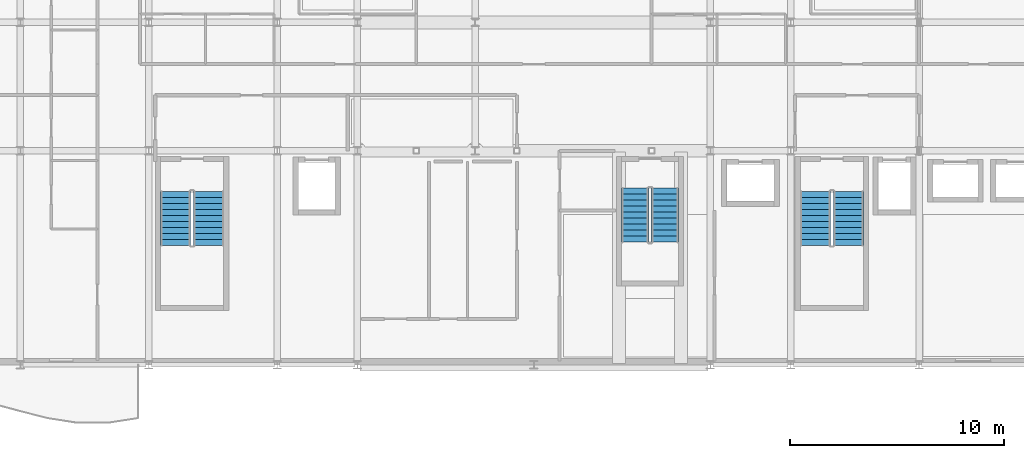
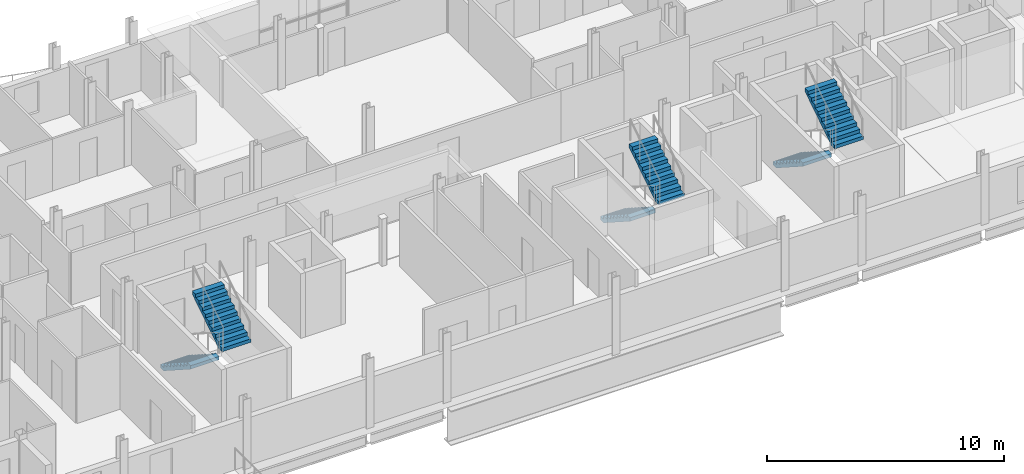
# One storey, part 31 of 35: 6 stair flights, 3 elements without a shape of their own.
"""IFC4 building model written with IfcOpenShell, lengths in metres."""

from ifc_helpers import new_model, si_unit, direction, frame, origin, place, context, subcontext, project, spatial, polyline, outline, extrude, material, layer, layer_set, type_object, element, aggregate, save


model = new_model("IFC4")

# Units and contexts
model_context = context("Model", 3, precision=1e-05, world=origin(), true_north=direction((0.0, 1.0)))
body_context = subcontext(model_context, "Body", "Model", "MODEL_VIEW")
ifc_project = project(units=[si_unit("LENGTHUNIT", "METRE"), si_unit("AREAUNIT", "SQUARE_METRE"), si_unit("VOLUMEUNIT", "CUBIC_METRE"), si_unit("PLANEANGLEUNIT", "RADIAN"), si_unit("MASSUNIT", "GRAM", prefix="KILO")], contexts=[model_context])

# Site, building, storey
site_placement = place(None, origin())
site = spatial("IfcSite", under=ifc_project, at=site_placement, CompositionType="ELEMENT")
building_placement = place(site_placement, origin())
building = spatial("IfcBuilding", under=site, at=building_placement, Name="Brevholm Reach", CompositionType="ELEMENT")
storey_placement = place(building_placement, frame((0.0, 0.0, 214.39990234375)))
storey = spatial("IfcBuildingStorey", under=building, at=storey_placement, Name="L65", CompositionType="ELEMENT", Elevation=214.39990234375)

# Stair, stair flights
ifc_material_1 = material(Name="Precast Concrete C40/50", Category="concrete")
stair_type_1 = type_object("IfcStairType", Name="STR-ESC-1250", PredefinedType="DOUBLE_RETURN_STAIR", material=ifc_material_1)
stair_1_placement = place(storey_placement, origin())
stair_1 = element("IfcStair", 1, at=stair_1_placement, inside=storey, type_object=stair_type_1, Name="L65 ST-3", PredefinedType="DOUBLE_RETURN_STAIR")
ifc_material_2 = material(Name="Precast Concrete C40/50", Category="concrete")
ifc_layer_1 = layer(ifc_material_2, 0.1650390625)
ifc_layer_set_1 = layer_set([ifc_layer_1], Name="Precast Concrete C40/50")
stair_flight_type_1 = type_object("IfcStairFlightType", Name="STF-PRC-165", PredefinedType="STRAIGHT", material=ifc_layer_set_1)
stair_flight_1_placement = place(storey_placement, frame((34.72509765625, 8.25, 0.0), z_axis=(0.0, 0.0, 1.0), x_axis=(0.0, -1.0, 0.0)))
stair_flight_1 = element("IfcStairFlight", 2, at=stair_flight_1_placement, type_object=stair_flight_type_1, Name="ST-3 flight 1", NumberOfRisers=10, NumberOfTreads=9, PredefinedType="STRAIGHT", RiserHeight=0.18, TreadLength=0.28, context=body_context, shape_type="SweptSolid", body=[
    extrude(outline(polyline([(0.0, 0.0), (0.0, 0.179931640625), (0.280029296875, 0.179931640625), (0.280029296875, 0.360107421875), (0.56005859375, 0.360107421875), (0.56005859375, 0.5400390625), (0.840087890625, 0.5400390625), (0.840087890625, 0.719970703125), (1.1201171875, 0.719970703125), (1.1201171875, 0.89990234375), (1.39990234375, 0.89990234375), (1.39990234375, 1.080078125), (1.679931640625, 1.080078125), (1.679931640625, 1.260009765625), (1.9599609375, 1.260009765625), (1.9599609375, 1.43994140625), (2.239990234375, 1.43994140625), (2.239990234375, 1.6201171875), (2.52001953125, 1.6201171875), (2.52001953125, 1.800048828125), (2.52001953125, 1.44189453125), (0.277099609375, 0.0), (0.0, 0.0)])), frame((0.0, 0.625, 0.0), z_axis=(0.0, -1.0, 0.0), x_axis=(1.0, 0.0, 0.0)), (0.0, 0.0, 1.0), 1.25),
])
stair_flight_2_placement = place(storey_placement, frame((36.125, 5.72998046875, 1.800048828125), z_axis=(0.0, 0.0, 1.0), x_axis=(0.0, 1.0, 0.0)))
stair_flight_2 = element("IfcStairFlight", 3, at=stair_flight_2_placement, type_object=stair_flight_type_1, Name="ST-3 flight 2", NumberOfRisers=10, NumberOfTreads=9, PredefinedType="STRAIGHT", RiserHeight=0.18, TreadLength=0.28, context=body_context, shape_type="SweptSolid", body=[
    extrude(outline(polyline([(0.0, 0.0), (0.0, 0.179931640625), (0.280029296875, 0.179931640625), (0.280029296875, 0.360107421875), (0.56005859375, 0.360107421875), (0.56005859375, 0.5400390625), (0.840087890625, 0.5400390625), (0.840087890625, 0.719970703125), (1.1201171875, 0.719970703125), (1.1201171875, 0.89990234375), (1.39990234375, 0.89990234375), (1.39990234375, 1.080078125), (1.679931640625, 1.080078125), (1.679931640625, 1.260009765625), (1.9599609375, 1.260009765625), (1.9599609375, 1.43994140625), (2.239990234375, 1.43994140625), (2.239990234375, 1.6201171875), (2.52001953125, 1.6201171875), (2.52001953125, 1.800048828125), (2.52001953125, 1.44189453125), (0.277099609375, 0.0), (0.0, 0.0)])), frame((0.0, 0.625, 0.0), z_axis=(0.0, -1.0, 0.0), x_axis=(1.0, 0.0, 0.0)), (0.0, 0.0, 1.0), 1.25),
])
aggregate(stair_1, [stair_flight_1, stair_flight_2])

ifc_material_3 = material(Name="Precast Concrete C40/50", Category="concrete")
stair_type_2 = type_object("IfcStairType", Name="STR-ESC-1400", PredefinedType="DOUBLE_RETURN_STAIR", material=ifc_material_3)
stair_2_placement = place(storey_placement, origin())
stair_2 = element("IfcStair", 4, at=stair_2_placement, inside=storey, type_object=stair_type_2, Name="L65 ST-1", PredefinedType="DOUBLE_RETURN_STAIR")
ifc_material_4 = material(Name="Precast Concrete C40/50", Category="concrete")
ifc_layer_2 = layer(ifc_material_4, 0.18505859375)
ifc_layer_set_2 = layer_set([ifc_layer_2], Name="Precast Concrete C40/50")
stair_flight_type_2 = type_object("IfcStairFlightType", Name="STF-PRC-185", PredefinedType="STRAIGHT", material=ifc_layer_set_2)
stair_flight_3_placement = place(storey_placement, frame((13.25, 8.10009765625, 0.0), z_axis=(0.0, 0.0, 1.0), x_axis=(0.0, -1.0, 0.0)))
stair_flight_3 = element("IfcStairFlight", 5, at=stair_flight_3_placement, type_object=stair_flight_type_2, Name="ST-1 flight 1", NumberOfRisers=10, NumberOfTreads=9, PredefinedType="STRAIGHT", RiserHeight=0.18, TreadLength=0.28, context=body_context, shape_type="SweptSolid", body=[
    extrude(outline(polyline([(0.0, 0.0), (0.0, 0.179931640625), (0.280029296875, 0.179931640625), (0.280029296875, 0.360107421875), (0.56005859375, 0.360107421875), (0.56005859375, 0.5400390625), (0.840087890625, 0.5400390625), (0.840087890625, 0.719970703125), (1.1201171875, 0.719970703125), (1.1201171875, 0.89990234375), (1.39990234375, 0.89990234375), (1.39990234375, 1.080078125), (1.679931640625, 1.080078125), (1.679931640625, 1.260009765625), (1.9599609375, 1.260009765625), (1.9599609375, 1.43994140625), (2.239990234375, 1.43994140625), (2.239990234375, 1.6201171875), (2.52001953125, 1.6201171875), (2.52001953125, 1.800048828125), (2.52001953125, 1.44189453125), (0.277099609375, 0.0), (0.0, 0.0)])), frame((0.0, 0.699951171875, 0.0), z_axis=(0.0, -1.0, 0.0), x_axis=(1.0, 0.0, 0.0)), (0.0, 0.0, 1.0), 1.39990234375),
])
stair_flight_4_placement = place(storey_placement, frame((14.800048828125, 5.580078125, 1.800048828125), z_axis=(0.0, 0.0, 1.0), x_axis=(0.0, 1.0, 0.0)))
stair_flight_4 = element("IfcStairFlight", 6, at=stair_flight_4_placement, type_object=stair_flight_type_2, Name="ST-1 flight 2", NumberOfRisers=10, NumberOfTreads=9, PredefinedType="STRAIGHT", RiserHeight=0.18, TreadLength=0.28, context=body_context, shape_type="SweptSolid", body=[
    extrude(outline(polyline([(0.0, 0.0), (0.0, 0.179931640625), (0.280029296875, 0.179931640625), (0.280029296875, 0.360107421875), (0.56005859375, 0.360107421875), (0.56005859375, 0.5400390625), (0.840087890625, 0.5400390625), (0.840087890625, 0.719970703125), (1.1201171875, 0.719970703125), (1.1201171875, 0.89990234375), (1.39990234375, 0.89990234375), (1.39990234375, 1.080078125), (1.679931640625, 1.080078125), (1.679931640625, 1.260009765625), (1.9599609375, 1.260009765625), (1.9599609375, 1.43994140625), (2.239990234375, 1.43994140625), (2.239990234375, 1.6201171875), (2.52001953125, 1.6201171875), (2.52001953125, 1.800048828125), (2.52001953125, 1.44189453125), (0.277099609375, 0.0), (0.0, 0.0)])), frame((0.0, 0.699951171875, 0.0), z_axis=(0.0, -1.0, 0.0), x_axis=(1.0, 0.0, 0.0)), (0.0, 0.0, 1.0), 1.39990234375),
])
aggregate(stair_2, [stair_flight_3, stair_flight_4])

stair_3_placement = place(storey_placement, origin())
stair_3 = element("IfcStair", 7, at=stair_3_placement, inside=storey, type_object=stair_type_2, Name="L65 ST-2", PredefinedType="DOUBLE_RETURN_STAIR")
stair_flight_5_placement = place(storey_placement, frame((43.14990234375, 8.10009765625, 0.0), z_axis=(0.0, 0.0, 1.0), x_axis=(0.0, -1.0, 0.0)))
stair_flight_5 = element("IfcStairFlight", 8, at=stair_flight_5_placement, type_object=stair_flight_type_2, Name="ST-2 flight 1", NumberOfRisers=10, NumberOfTreads=9, PredefinedType="STRAIGHT", RiserHeight=0.18, TreadLength=0.28, context=body_context, shape_type="SweptSolid", body=[
    extrude(outline(polyline([(0.0, 0.0), (0.0, 0.179931640625), (0.280029296875, 0.179931640625), (0.280029296875, 0.360107421875), (0.56005859375, 0.360107421875), (0.56005859375, 0.5400390625), (0.840087890625, 0.5400390625), (0.840087890625, 0.719970703125), (1.1201171875, 0.719970703125), (1.1201171875, 0.89990234375), (1.39990234375, 0.89990234375), (1.39990234375, 1.080078125), (1.679931640625, 1.080078125), (1.679931640625, 1.260009765625), (1.9599609375, 1.260009765625), (1.9599609375, 1.43994140625), (2.239990234375, 1.43994140625), (2.239990234375, 1.6201171875), (2.52001953125, 1.6201171875), (2.52001953125, 1.800048828125), (2.52001953125, 1.44189453125), (0.277099609375, 0.0), (0.0, 0.0)])), frame((0.0, 0.699951171875, 0.0), z_axis=(0.0, -1.0, 0.0), x_axis=(1.0, 0.0, 0.0)), (0.0, 0.0, 1.0), 1.39990234375),
])
stair_flight_6_placement = place(storey_placement, frame((44.699951171875, 5.580078125, 1.800048828125), z_axis=(0.0, 0.0, 1.0), x_axis=(0.0, 1.0, 0.0)))
stair_flight_6 = element("IfcStairFlight", 9, at=stair_flight_6_placement, type_object=stair_flight_type_2, Name="ST-2 flight 2", NumberOfRisers=10, NumberOfTreads=9, PredefinedType="STRAIGHT", RiserHeight=0.18, TreadLength=0.28, context=body_context, shape_type="SweptSolid", body=[
    extrude(outline(polyline([(0.0, 0.0), (0.0, 0.179931640625), (0.280029296875, 0.179931640625), (0.280029296875, 0.360107421875), (0.56005859375, 0.360107421875), (0.56005859375, 0.5400390625), (0.840087890625, 0.5400390625), (0.840087890625, 0.719970703125), (1.1201171875, 0.719970703125), (1.1201171875, 0.89990234375), (1.39990234375, 0.89990234375), (1.39990234375, 1.080078125), (1.679931640625, 1.080078125), (1.679931640625, 1.260009765625), (1.9599609375, 1.260009765625), (1.9599609375, 1.43994140625), (2.239990234375, 1.43994140625), (2.239990234375, 1.6201171875), (2.52001953125, 1.6201171875), (2.52001953125, 1.800048828125), (2.52001953125, 1.44189453125), (0.277099609375, 0.0), (0.0, 0.0)])), frame((0.0, 0.699951171875, 0.0), z_axis=(0.0, -1.0, 0.0), x_axis=(1.0, 0.0, 0.0)), (0.0, 0.0, 1.0), 1.39990234375),
])
aggregate(stair_3, [stair_flight_5, stair_flight_6])

save(model, "model.ifc")
